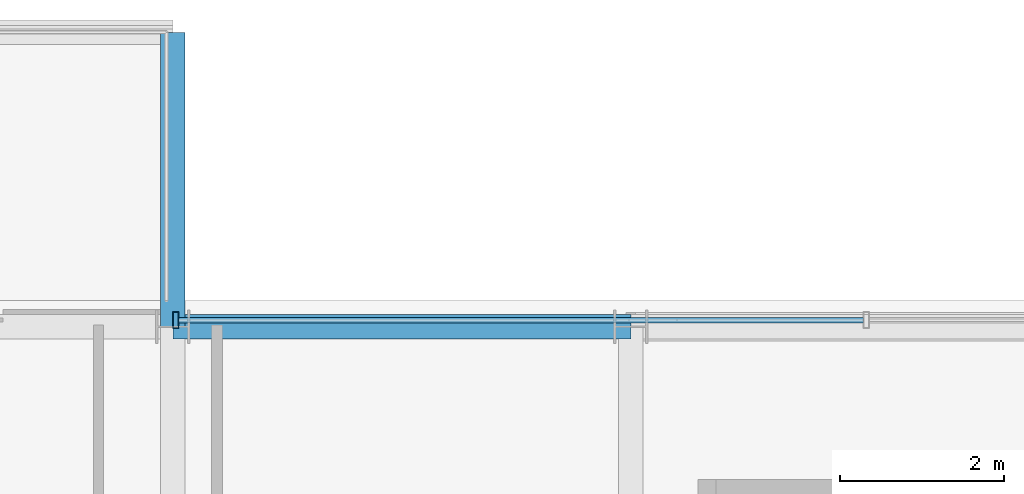
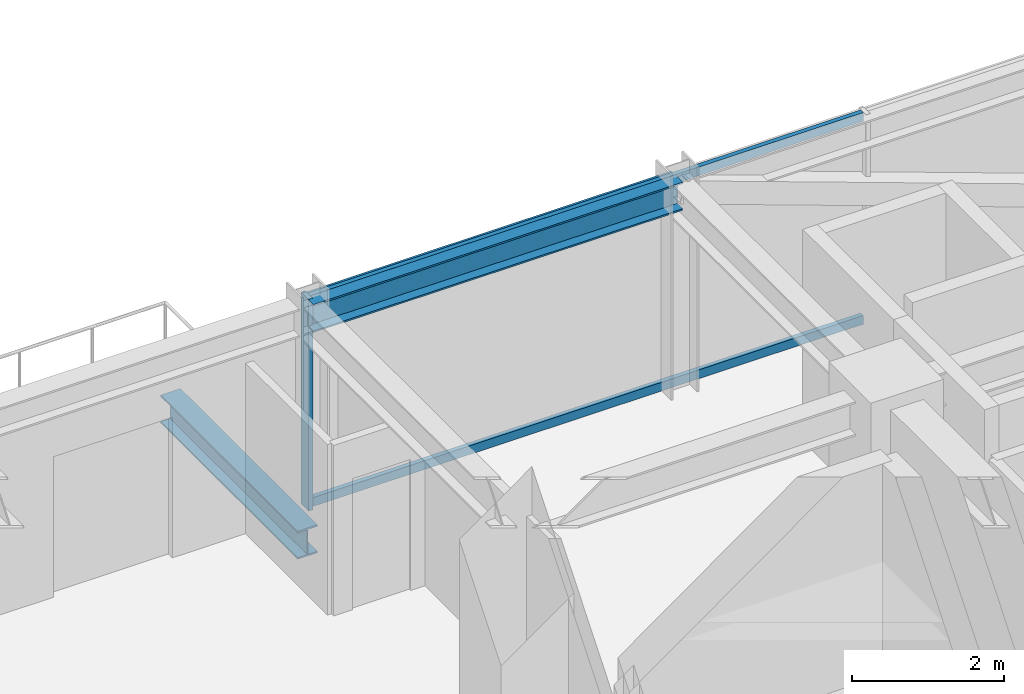
# One storey, part 24 of 41: 3 members, 2 beams, 1 element without a shape of its own.
"""IFC4 building model written with IfcOpenShell, lengths in metres."""

from ifc_helpers import new_model, si_unit, direction, frame, origin, origin_2d, place, context, subcontext, project, spatial, hollow_rectangle, i_section, extrude, source, transform, mapped, material, material_profile, profile_set, type_object, element, aggregate, save


model = new_model("IFC4")

# Units and contexts
model_context = context("Model", 3, precision=1e-05, world=origin(), true_north=direction((0.0, 1.0)))
body_context = subcontext(model_context, "Body", "Model", "MODEL_VIEW")
ifc_project = project(units=[si_unit("LENGTHUNIT", "METRE"), si_unit("AREAUNIT", "SQUARE_METRE"), si_unit("VOLUMEUNIT", "CUBIC_METRE"), si_unit("PLANEANGLEUNIT", "RADIAN"), si_unit("MASSUNIT", "GRAM", prefix="KILO")], contexts=[model_context])

# Site, building, storey
site_placement = place(None, origin())
site = spatial("IfcSite", under=ifc_project, at=site_placement, CompositionType="ELEMENT")
building_placement = place(site_placement, origin())
building = spatial("IfcBuilding", under=site, at=building_placement, Name="Nahalor Promenade Grand Hotel", CompositionType="ELEMENT")
storey_placement = place(building_placement, frame((0.0, 0.0, 159.949951171875)))
storey = spatial("IfcBuildingStorey", under=building, at=storey_placement, Name="L40", CompositionType="ELEMENT", Elevation=159.949951171875)

# Beams
ifc_material_1 = material(Name="Steel S355JR", Category="steel")
ifc_material_profile_1 = material_profile(ifc_material_1, i_section(OverallWidth=0.3, OverallDepth=0.45, WebThickness=0.014, FlangeThickness=0.026, at=origin_2d()), Name="HEB 450")
ifc_profile_set_1 = profile_set([ifc_material_profile_1], Name="Steel S355JR")
beam_type_1 = type_object("IfcBeamType", Name="Beam-Outrigger-HEB450", PredefinedType="BEAM", material=ifc_profile_set_1)
shared_shape_1 = source(origin(), body_context, "Body", "SweptSolid", [
    extrude(i_section(OverallWidth=0.3, OverallDepth=0.45, WebThickness=0.014, FlangeThickness=0.026, at=origin_2d()), origin(), (0.0, 0.0, 1.0), 3.60009765625),
])
beam_1_placement = place(storey_placement, frame((2.800048828125, 22.47998046875, -0.5048828125), z_axis=(0.0, 1.0, 0.0), x_axis=(-1.0, 0.0, 0.0)))
element("IfcBeam", 1, at=beam_1_placement, inside=storey, type_object=beam_type_1, Name="BM-L40-BC-01-2", PredefinedType="BEAM", context=body_context, shape_type="MappedRepresentation", body=[
    mapped(shared_shape_1, transform((0.0, 0.0, 0.0), scale=1.0)),
])
ifc_material_profile_2 = material_profile(ifc_material_1, i_section(OverallWidth=0.3, OverallDepth=0.45, WebThickness=0.014, FlangeThickness=0.026, at=origin_2d()), Name="HEB 450")
ifc_profile_set_2 = profile_set([ifc_material_profile_2], Name="Steel S355JR")
beam_type_2 = type_object("IfcBeamType", Name="Beam-Spandrel-HEB450", PredefinedType="SPANDREL", material=ifc_profile_set_2)
shared_shape_2 = source(origin(), body_context, "Body", "SweptSolid", [
    extrude(i_section(OverallWidth=0.3, OverallDepth=0.45, WebThickness=0.014, FlangeThickness=0.026, at=origin_2d()), origin(), (0.0, 0.0, 1.0), 5.599853515625),
])
beam_2_placement = place(storey_placement, frame((2.800048828125, 22.47998046875, 3.1650390625), z_axis=(1.0, 0.0, 0.0), x_axis=(0.0, 1.0, 0.0)))
element("IfcBeam", 2, at=beam_2_placement, inside=storey, type_object=beam_type_2, Name="BM-L40-SP-N-3", PredefinedType="SPANDREL", context=body_context, shape_type="MappedRepresentation", body=[
    mapped(shared_shape_2, transform((0.0, 0.0, 0.0), scale=1.0)),
])

# Curtain wall, members
ifc_material_2 = material(Name="Anodised Bronze Aluminium EN AW-6063 T6", Category="aluminium")
curtain_wall_type = type_object("IfcCurtainWallType", Name="CW3 Elliptical-Void Collar Unitised Curtain Wall", PredefinedType="USERDEFINED", material=ifc_material_2)
curtain_wall_placement = place(storey_placement, origin())
curtain_wall = element("IfcCurtainWall", 3, at=curtain_wall_placement, inside=storey, type_object=curtain_wall_type, Name="L40 Curtain Wall CW-L40-N-3", ObjectType="UNITISED_CURTAIN_WALL", PredefinedType="USERDEFINED")
ifc_material_profile_3 = material_profile(ifc_material_2, hollow_rectangle(XDim=0.07, YDim=0.2, WallThickness=0.005, at=origin_2d()), Name="CWM 70x200x5")
ifc_profile_set_3 = profile_set([ifc_material_profile_3], Name="Anodised Bronze Aluminium EN AW-6063 T6")
member_type_1 = type_object("IfcMemberType", Name="CWM3 Void Collar Mullion 70x200", PredefinedType="MULLION", material=ifc_profile_set_3)
shared_shape_3 = source(origin(), body_context, "Body", "SweptSolid", [
    extrude(hollow_rectangle(XDim=0.07, YDim=0.2, WallThickness=0.005, at=origin_2d()), origin(), (0.0, 0.0, 1.0), 3.39013671875),
])
member_1_placement = place(storey_placement, frame((2.8349609375, 22.56005859375, 0.0), z_axis=(0.0, 0.0, 1.0), x_axis=(1.0, 0.0, 0.0)))
member_1 = element("IfcMember", 4, at=member_1_placement, type_object=member_type_1, Name="CW-L40-N-3 Mullion 0", PredefinedType="MULLION", context=body_context, shape_type="MappedRepresentation", body=[
    mapped(shared_shape_3, transform((0.0, 0.0, 0.0), scale=1.0)),
])
ifc_material_profile_4 = material_profile(ifc_material_2, hollow_rectangle(XDim=0.07, YDim=0.14, WallThickness=0.004, at=origin_2d()), Name="CWT 70x140x4")
ifc_profile_set_4 = profile_set([ifc_material_profile_4], Name="Anodised Bronze Aluminium EN AW-6063 T6")
member_type_2 = type_object("IfcMemberType", Name="CWT3 Void Collar Transom 70x140", PredefinedType="USERDEFINED", material=ifc_profile_set_4)
shared_shape_4 = source(origin(), body_context, "Body", "SweptSolid", [
    extrude(hollow_rectangle(XDim=0.07, YDim=0.14, WallThickness=0.004, at=origin_2d()), origin(), (0.0, 0.0, 1.0), 8.375),
])
member_2_placement = place(storey_placement, frame((2.8701171875, 22.56005859375, 0.070068359375), z_axis=(1.0, 0.0, 0.0), x_axis=(0.0, 1.0, 0.0)))
member_2 = element("IfcMember", 5, at=member_2_placement, type_object=member_type_2, Name="CW-L40-N-3 Transom 0-0", ObjectType="TRANSOM", PredefinedType="USERDEFINED", context=body_context, shape_type="MappedRepresentation", body=[
    mapped(shared_shape_4, transform((0.0, 0.0, 0.0), scale=1.0)),
])
member_3_placement = place(storey_placement, frame((2.8701171875, 22.56005859375, 3.320068359375), z_axis=(1.0, 0.0, 0.0), x_axis=(0.0, 1.0, 0.0)))
member_3 = element("IfcMember", 6, at=member_3_placement, type_object=member_type_2, Name="CW-L40-N-3 Transom 0-1", ObjectType="TRANSOM", PredefinedType="USERDEFINED", context=body_context, shape_type="MappedRepresentation", body=[
    mapped(shared_shape_4, transform((0.0, 0.0, 0.0), scale=1.0)),
])
aggregate(curtain_wall, [member_1, member_2, member_3])

save(model, "model.ifc")
